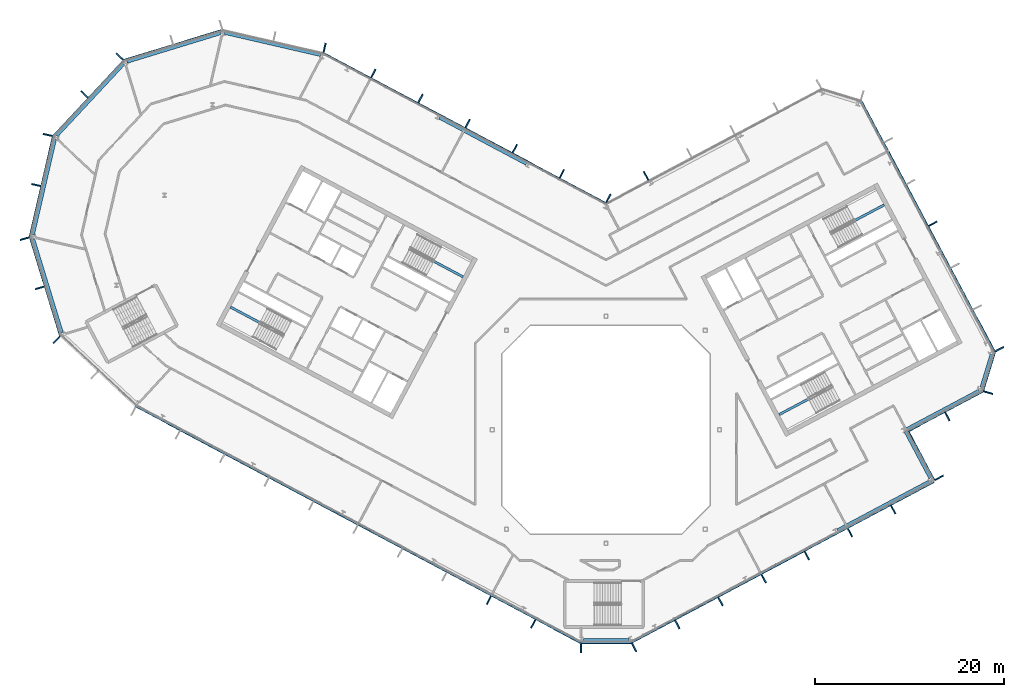
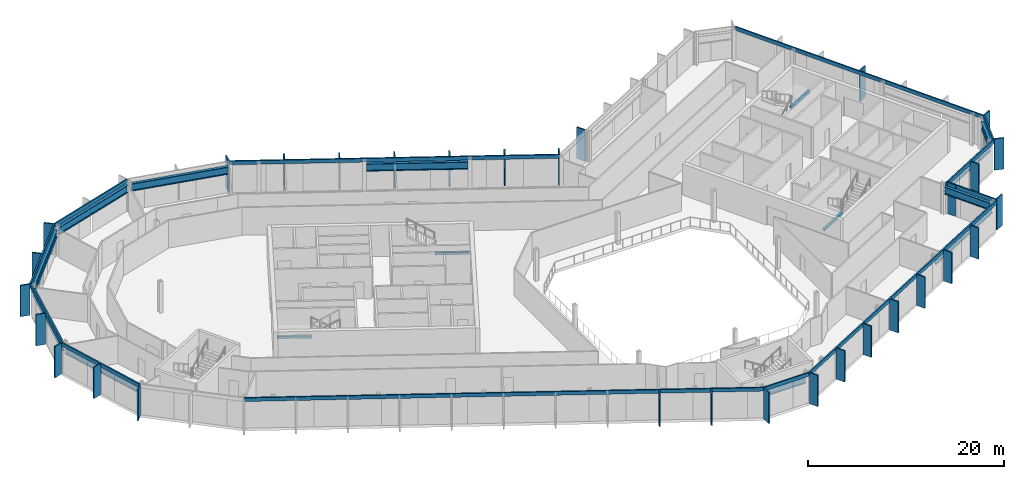
# One storey, part 9 of 26: 43 members, 15 beams, 15 elements without a shape of their own.
"""IFC4 building model written with IfcOpenShell, lengths in metres."""

from ifc_helpers import new_model, si_unit, direction, frame, origin, origin_2d, place, context, subcontext, project, spatial, rectangle, i_section, extrude, material, layer, layer_set, material_profile, profile_set, type_object, element, aggregate, save


model = new_model("IFC4")

# Units and contexts
model_context = context("Model", 3, precision=1e-05, world=origin(), true_north=direction((0.0, 1.0)))
body_context = subcontext(model_context, "Body", "Model", "MODEL_VIEW")
ifc_project = project(units=[si_unit("LENGTHUNIT", "METRE"), si_unit("AREAUNIT", "SQUARE_METRE"), si_unit("VOLUMEUNIT", "CUBIC_METRE"), si_unit("PLANEANGLEUNIT", "RADIAN"), si_unit("MASSUNIT", "GRAM", prefix="KILO")], contexts=[model_context])

# Site, building, storey
site_placement = place(None, origin())
site = spatial("IfcSite", under=ifc_project, at=site_placement, CompositionType="ELEMENT")
building_placement = place(site_placement, origin())
building = spatial("IfcBuilding", under=site, at=building_placement, Name="Cormorant Relay Tower", CompositionType="ELEMENT")
storey_placement = place(building_placement, frame((0.0, 0.0, 316.5)))
storey = spatial("IfcBuildingStorey", under=building, at=storey_placement, Name="L72", CompositionType="ELEMENT", Elevation=316.5)

# Curtain wall, member
ifc_material_1 = material(Name="Aluminium 6063-T6 anodised bronze", Category="aluminium")
ifc_layer = layer(ifc_material_1, 0.199951171875)
ifc_layer_set = layer_set([ifc_layer], Name="CW1 unitised bronze curtain wall with vertical fins")
curtain_wall_type = type_object("IfcCurtainWallType", Name="CW1 unitised bronze curtain wall with vertical fins", PredefinedType="NOTDEFINED", material=ifc_layer_set)
curtain_wall_1_placement = place(storey_placement, origin())
curtain_wall_1 = element("IfcCurtainWall", 1, at=curtain_wall_1_placement, inside=storey, type_object=curtain_wall_type, Name="CW1 curtain wall 1", PredefinedType="NOTDEFINED")
ifc_material_2 = material(Name="Aluminium 6063-T6 anodised bronze", Category="aluminium")
ifc_material_profile_1 = material_profile(ifc_material_2, rectangle(XDim=0.14990234375, YDim=1.0, at=origin_2d()), Name="AL 150x1000")
ifc_profile_set_1 = profile_set([ifc_material_profile_1], Name="Aluminium 6063-T6 anodised bronze")
member_type_1 = type_object("IfcMemberType", Name="CW1 bronze fin mullion 150 x 1000", PredefinedType="MULLION", material=ifc_profile_set_1)
member_1_placement = place(storey_placement, frame((-2.648681640625, -23.07568359375, 0.0), z_axis=(0.0, 0.0, 1.0), x_axis=(1.0, 0.0, 0.0)))
member_1 = element("IfcMember", 2, at=member_1_placement, type_object=member_type_1, Name="CW1 fin 1.1", PredefinedType="MULLION", context=body_context, shape_type="SweptSolid", body=[
    extrude(rectangle(XDim=0.14990234375, YDim=1.0, at=origin_2d()), origin(), (0.0, 0.0, 1.0), 3.89990234375),
])

# Curtain wall, members
curtain_wall_2_placement = place(storey_placement, origin())
curtain_wall_2 = element("IfcCurtainWall", 3, at=curtain_wall_2_placement, inside=storey, type_object=curtain_wall_type, Name="CW1 curtain wall 2", PredefinedType="NOTDEFINED")
member_2_placement = place(storey_placement, frame((2.9775390625, -22.99365234375, 0.0), z_axis=(0.0, 0.0, 1.0), x_axis=(0.882947592859, 0.469471562786, 0.0)))
member_2 = element("IfcMember", 4, at=member_2_placement, type_object=member_type_1, Name="CW1 fin 2.1", PredefinedType="MULLION", context=body_context, shape_type="SweptSolid", body=[
    extrude(rectangle(XDim=0.14990234375, YDim=1.0, at=origin_2d()), origin(), (0.0, 0.0, 1.0), 3.89990234375),
])
member_3_placement = place(storey_placement, frame((7.539306640625, -20.568115234375, 0.0), z_axis=(0.0, 0.0, 1.0), x_axis=(0.882947592859, 0.469471562786, 0.0)))
member_3 = element("IfcMember", 5, at=member_3_placement, type_object=member_type_1, Name="CW1 fin 2.2", PredefinedType="MULLION", context=body_context, shape_type="SweptSolid", body=[
    extrude(rectangle(XDim=0.14990234375, YDim=1.0, at=origin_2d()), origin(), (0.0, 0.0, 1.0), 3.89990234375),
])
member_4_placement = place(storey_placement, frame((12.10107421875, -18.142578125, 0.0), z_axis=(0.0, 0.0, 1.0), x_axis=(0.882947592859, 0.469471562786, 0.0)))
member_4 = element("IfcMember", 6, at=member_4_placement, type_object=member_type_1, Name="CW1 fin 2.3", PredefinedType="MULLION", context=body_context, shape_type="SweptSolid", body=[
    extrude(rectangle(XDim=0.14990234375, YDim=1.0, at=origin_2d()), origin(), (0.0, 0.0, 1.0), 3.89990234375),
])
member_5_placement = place(storey_placement, frame((16.662841796875, -15.717041015625, 0.0), z_axis=(0.0, 0.0, 1.0), x_axis=(0.882947592859, 0.469471562786, 0.0)))
member_5 = element("IfcMember", 7, at=member_5_placement, type_object=member_type_1, Name="CW1 fin 2.4", PredefinedType="MULLION", context=body_context, shape_type="SweptSolid", body=[
    extrude(rectangle(XDim=0.14990234375, YDim=1.0, at=origin_2d()), origin(), (0.0, 0.0, 1.0), 3.89990234375),
])
member_6_placement = place(storey_placement, frame((21.224609375, -13.29150390625, 0.0), z_axis=(0.0, 0.0, 1.0), x_axis=(0.882947592859, 0.469471562786, 0.0)))
member_6 = element("IfcMember", 8, at=member_6_placement, type_object=member_type_1, Name="CW1 fin 2.5", PredefinedType="MULLION", context=body_context, shape_type="SweptSolid", body=[
    extrude(rectangle(XDim=0.14990234375, YDim=1.0, at=origin_2d()), origin(), (0.0, 0.0, 1.0), 3.89990234375),
])
member_7_placement = place(storey_placement, frame((25.78662109375, -10.865966796875, 0.0), z_axis=(0.0, 0.0, 1.0), x_axis=(0.882947592859, 0.469471562786, 0.0)))
member_7 = element("IfcMember", 9, at=member_7_placement, type_object=member_type_1, Name="CW1 fin 2.6", PredefinedType="MULLION", context=body_context, shape_type="SweptSolid", body=[
    extrude(rectangle(XDim=0.14990234375, YDim=1.0, at=origin_2d()), origin(), (0.0, 0.0, 1.0), 3.89990234375),
])
member_8_placement = place(storey_placement, frame((30.348388671875, -8.440185546875, 0.0), z_axis=(0.0, 0.0, 1.0), x_axis=(0.882947592859, 0.469471562786, 0.0)))
member_8 = element("IfcMember", 10, at=member_8_placement, type_object=member_type_1, Name="CW1 fin 2.7", PredefinedType="MULLION", context=body_context, shape_type="SweptSolid", body=[
    extrude(rectangle(XDim=0.14990234375, YDim=1.0, at=origin_2d()), origin(), (0.0, 0.0, 1.0), 3.89990234375),
])

# Curtain wall, member
curtain_wall_3_placement = place(storey_placement, origin())
curtain_wall_3 = element("IfcCurtainWall", 11, at=curtain_wall_3_placement, inside=storey, type_object=curtain_wall_type, Name="CW1 curtain wall 3", PredefinedType="NOTDEFINED")
member_9_placement = place(storey_placement, frame((35.199462890625, -5.068115234375, 0.0), z_axis=(0.0, 0.0, 1.0), x_axis=(-0.469471562786, 0.882947592859, 0.0)))
member_9 = element("IfcMember", 12, at=member_9_placement, type_object=member_type_1, Name="CW1 fin 3.1", PredefinedType="MULLION", context=body_context, shape_type="SweptSolid", body=[
    extrude(rectangle(XDim=0.14990234375, YDim=1.0, at=origin_2d()), origin(), (0.0, 0.0, 1.0), 3.89990234375),
])

# Curtain wall, members
curtain_wall_4_placement = place(storey_placement, origin())
curtain_wall_4 = element("IfcCurtainWall", 13, at=curtain_wall_4_placement, inside=storey, type_object=curtain_wall_type, Name="CW1 curtain wall 4", PredefinedType="NOTDEFINED")
member_10_placement = place(storey_placement, frame((32.159423828125, -0.681884765625, 0.0), z_axis=(0.0, 0.0, 1.0), x_axis=(0.882947592859, 0.469471562786, 0.0)))
member_10 = element("IfcMember", 14, at=member_10_placement, type_object=member_type_1, Name="CW1 fin 4.1", PredefinedType="MULLION", context=body_context, shape_type="SweptSolid", body=[
    extrude(rectangle(XDim=0.14990234375, YDim=1.0, at=origin_2d()), origin(), (0.0, 0.0, 1.0), 3.89990234375),
])
member_11_placement = place(storey_placement, frame((36.06640625, 1.3955078125, 0.0), z_axis=(0.0, 0.0, 1.0), x_axis=(0.882947592859, 0.469471562786, 0.0)))
member_11 = element("IfcMember", 15, at=member_11_placement, type_object=member_type_1, Name="CW1 fin 4.2", PredefinedType="MULLION", context=body_context, shape_type="SweptSolid", body=[
    extrude(rectangle(XDim=0.14990234375, YDim=1.0, at=origin_2d()), origin(), (0.0, 0.0, 1.0), 3.89990234375),
])

# Curtain wall, member
curtain_wall_5_placement = place(storey_placement, origin())
curtain_wall_5 = element("IfcCurtainWall", 16, at=curtain_wall_5_placement, inside=storey, type_object=curtain_wall_type, Name="CW1 curtain wall 5", PredefinedType="NOTDEFINED")
member_12_placement = place(storey_placement, frame((40.380615234375, 3.921630859375, 0.0), z_axis=(0.0, 0.0, 1.0), x_axis=(0.292371704723, 0.956304755963, 0.0)))
member_12 = element("IfcMember", 17, at=member_12_placement, type_object=member_type_1, Name="CW1 fin 5.1", PredefinedType="MULLION", context=body_context, shape_type="SweptSolid", body=[
    extrude(rectangle(XDim=0.14990234375, YDim=1.0, at=origin_2d()), origin(), (0.0, 0.0, 1.0), 3.89990234375),
])

# Curtain wall, members
curtain_wall_6_placement = place(storey_placement, origin())
curtain_wall_6 = element("IfcCurtainWall", 18, at=curtain_wall_6_placement, inside=storey, type_object=curtain_wall_type, Name="CW1 curtain wall 6", PredefinedType="NOTDEFINED")
member_13_placement = place(storey_placement, frame((41.569580078125, 8.51220703125, 0.0), z_axis=(0.0, 0.0, 1.0), x_axis=(-0.469471562786, 0.882947592859, 0.0)))
member_13 = element("IfcMember", 19, at=member_13_placement, type_object=member_type_1, Name="CW1 fin 6.1", PredefinedType="MULLION", context=body_context, shape_type="SweptSolid", body=[
    extrude(rectangle(XDim=0.14990234375, YDim=1.0, at=origin_2d()), origin(), (0.0, 0.0, 1.0), 3.89990234375),
])
member_14_placement = place(storey_placement, frame((34.527587890625, 21.75634765625, 0.0), z_axis=(0.0, 0.0, 1.0), x_axis=(-0.469471562786, 0.882947592859, 0.0)))
member_14 = element("IfcMember", 20, at=member_14_placement, type_object=member_type_1, Name="CW1 fin 6.4", PredefinedType="MULLION", context=body_context, shape_type="SweptSolid", body=[
    extrude(rectangle(XDim=0.14990234375, YDim=1.0, at=origin_2d()), origin(), (0.0, 0.0, 1.0), 3.89990234375),
])

# Curtain wall, member
curtain_wall_7_placement = place(storey_placement, origin())
curtain_wall_7 = element("IfcCurtainWall", 21, at=curtain_wall_7_placement, inside=storey, type_object=curtain_wall_type, Name="CW1 curtain wall 8", PredefinedType="NOTDEFINED")
member_15_placement = place(storey_placement, frame((4.2333984375, 26.82763671875, 0.0), z_axis=(0.0, 0.0, 1.0), x_axis=(-0.882947592859, -0.469471562786, 0.0)))
member_15 = element("IfcMember", 22, at=member_15_placement, type_object=member_type_1, Name="CW1 fin 8.5", PredefinedType="MULLION", context=body_context, shape_type="SweptSolid", body=[
    extrude(rectangle(XDim=0.14990234375, YDim=1.0, at=origin_2d()), origin(), (0.0, 0.0, 1.0), 3.89990234375),
])
aggregate(curtain_wall_7, [member_15])

# Curtain wall, members
curtain_wall_8_placement = place(storey_placement, origin())
curtain_wall_8 = element("IfcCurtainWall", 23, at=curtain_wall_8_placement, inside=storey, type_object=curtain_wall_type, Name="CW1 curtain wall 9", PredefinedType="NOTDEFINED")
member_16_placement = place(storey_placement, frame((0.262451171875, 24.437255859375, 0.0), z_axis=(0.0, 0.0, 1.0), x_axis=(-0.882947592859, 0.469471562786, 0.0)))
member_16 = element("IfcMember", 24, at=member_16_placement, type_object=member_type_1, Name="CW1 fin 9.1", PredefinedType="MULLION", context=body_context, shape_type="SweptSolid", body=[
    extrude(rectangle(XDim=0.14990234375, YDim=1.0, at=origin_2d()), origin(), (0.0, 0.0, 1.0), 3.89990234375),
])
member_17_placement = place(storey_placement, frame((-4.650390625, 27.04931640625, 0.0), z_axis=(0.0, 0.0, 1.0), x_axis=(-0.882947592859, 0.469471562786, 0.0)))
member_17 = element("IfcMember", 25, at=member_17_placement, type_object=member_type_1, Name="CW1 fin 9.2", PredefinedType="MULLION", context=body_context, shape_type="SweptSolid", body=[
    extrude(rectangle(XDim=0.14990234375, YDim=1.0, at=origin_2d()), origin(), (0.0, 0.0, 1.0), 3.89990234375),
])
member_18_placement = place(storey_placement, frame((-9.62939453125, 29.69677734375, 0.0), z_axis=(0.0, 0.0, 1.0), x_axis=(-0.882947592859, 0.469471562786, 0.0)))
member_18 = element("IfcMember", 26, at=member_18_placement, type_object=member_type_1, Name="CW1 fin 9.3", PredefinedType="MULLION", context=body_context, shape_type="SweptSolid", body=[
    extrude(rectangle(XDim=0.14990234375, YDim=1.0, at=origin_2d()), origin(), (0.0, 0.0, 1.0), 3.89990234375),
])
member_19_placement = place(storey_placement, frame((-14.608154296875, 32.343994140625, 0.0), z_axis=(0.0, 0.0, 1.0), x_axis=(-0.882947592859, 0.469471562786, 0.0)))
member_19 = element("IfcMember", 27, at=member_19_placement, type_object=member_type_1, Name="CW1 fin 9.4", PredefinedType="MULLION", context=body_context, shape_type="SweptSolid", body=[
    extrude(rectangle(XDim=0.14990234375, YDim=1.0, at=origin_2d()), origin(), (0.0, 0.0, 1.0), 3.89990234375),
])
member_20_placement = place(storey_placement, frame((-19.587158203125, 34.991455078125, 0.0), z_axis=(0.0, 0.0, 1.0), x_axis=(-0.882947592859, 0.469471562786, 0.0)))
member_20 = element("IfcMember", 28, at=member_20_placement, type_object=member_type_1, Name="CW1 fin 9.5", PredefinedType="MULLION", context=body_context, shape_type="SweptSolid", body=[
    extrude(rectangle(XDim=0.14990234375, YDim=1.0, at=origin_2d()), origin(), (0.0, 0.0, 1.0), 3.89990234375),
])
member_21_placement = place(storey_placement, frame((-24.566162109375, 37.638916015625, 0.0), z_axis=(0.0, 0.0, 1.0), x_axis=(-0.882947592859, 0.469471562786, 0.0)))
member_21 = element("IfcMember", 29, at=member_21_placement, type_object=member_type_1, Name="CW1 fin 9.6", PredefinedType="MULLION", context=body_context, shape_type="SweptSolid", body=[
    extrude(rectangle(XDim=0.14990234375, YDim=1.0, at=origin_2d()), origin(), (0.0, 0.0, 1.0), 3.89990234375),
])

# Curtain wall, member
curtain_wall_9_placement = place(storey_placement, origin())
curtain_wall_9 = element("IfcCurtainWall", 30, at=curtain_wall_9_placement, inside=storey, type_object=curtain_wall_type, Name="CW1 curtain wall 10", PredefinedType="NOTDEFINED")
member_22_placement = place(storey_placement, frame((-29.71630859375, 40.35009765625, 0.0), z_axis=(0.0, 0.0, 1.0), x_axis=(-0.974370064785, 0.224951054344, 0.0)))
member_22 = element("IfcMember", 31, at=member_22_placement, type_object=member_type_1, Name="CW1 fin 10.1", PredefinedType="MULLION", context=body_context, shape_type="SweptSolid", body=[
    extrude(rectangle(XDim=0.14990234375, YDim=1.0, at=origin_2d()), origin(), (0.0, 0.0, 1.0), 3.89990234375),
])
aggregate(curtain_wall_9, [member_22])

# Curtain wall, members
curtain_wall_10_placement = place(storey_placement, origin())
curtain_wall_10 = element("IfcCurtainWall", 32, at=curtain_wall_10_placement, inside=storey, type_object=curtain_wall_type, Name="CW1 curtain wall 12", PredefinedType="NOTDEFINED")
member_23_placement = place(storey_placement, frame((-51.372802734375, 39.41259765625, 0.0), z_axis=(0.0, 0.0, 1.0), x_axis=(-0.681998360062, -0.731353701619, 0.0)))
member_23 = element("IfcMember", 33, at=member_23_placement, type_object=member_type_1, Name="CW1 fin 12.1", PredefinedType="MULLION", context=body_context, shape_type="SweptSolid", body=[
    extrude(rectangle(XDim=0.14990234375, YDim=1.0, at=origin_2d()), origin(), (0.0, 0.0, 1.0), 3.89990234375),
])
member_24_placement = place(storey_placement, frame((-55.07958984375, 35.4375, 0.0), z_axis=(0.0, 0.0, 1.0), x_axis=(-0.681998360062, -0.731353701619, 0.0)))
member_24 = element("IfcMember", 34, at=member_24_placement, type_object=member_type_1, Name="CW1 fin 12.2", PredefinedType="MULLION", context=body_context, shape_type="SweptSolid", body=[
    extrude(rectangle(XDim=0.14990234375, YDim=1.0, at=origin_2d()), origin(), (0.0, 0.0, 1.0), 3.89990234375),
])

curtain_wall_11_placement = place(storey_placement, origin())
curtain_wall_11 = element("IfcCurtainWall", 35, at=curtain_wall_11_placement, inside=storey, type_object=curtain_wall_type, Name="CW1 curtain wall 13", PredefinedType="NOTDEFINED")
member_25_placement = place(storey_placement, frame((-58.95654296875, 31.142578125, 0.0), z_axis=(0.0, 0.0, 1.0), x_axis=(-0.224951054344, -0.974370064785, 0.0)))
member_25 = element("IfcMember", 36, at=member_25_placement, type_object=member_type_1, Name="CW1 fin 13.1", PredefinedType="MULLION", context=body_context, shape_type="SweptSolid", body=[
    extrude(rectangle(XDim=0.14990234375, YDim=1.0, at=origin_2d()), origin(), (0.0, 0.0, 1.0), 3.89990234375),
])
member_26_placement = place(storey_placement, frame((-60.17919921875, 25.8466796875, 0.0), z_axis=(0.0, 0.0, 1.0), x_axis=(-0.224951054344, -0.974370064785, 0.0)))
member_26 = element("IfcMember", 37, at=member_26_placement, type_object=member_type_1, Name="CW1 fin 13.2", PredefinedType="MULLION", context=body_context, shape_type="SweptSolid", body=[
    extrude(rectangle(XDim=0.14990234375, YDim=1.0, at=origin_2d()), origin(), (0.0, 0.0, 1.0), 3.89990234375),
])

curtain_wall_12_placement = place(storey_placement, origin())
curtain_wall_12 = element("IfcCurtainWall", 38, at=curtain_wall_12_placement, inside=storey, type_object=curtain_wall_type, Name="CW1 curtain wall 14", PredefinedType="NOTDEFINED")
member_27_placement = place(storey_placement, frame((-61.389404296875, 20.188720703125, 0.0), z_axis=(0.0, 0.0, 1.0), x_axis=(0.292371704723, -0.956304755963, 0.0)))
member_27 = element("IfcMember", 39, at=member_27_placement, type_object=member_type_1, Name="CW1 fin 14.1", PredefinedType="MULLION", context=body_context, shape_type="SweptSolid", body=[
    extrude(rectangle(XDim=0.14990234375, YDim=1.0, at=origin_2d()), origin(), (0.0, 0.0, 1.0), 3.89990234375),
])
member_28_placement = place(storey_placement, frame((-59.80029296875, 14.990966796875, 0.0), z_axis=(0.0, 0.0, 1.0), x_axis=(0.292371704723, -0.956304755963, 0.0)))
member_28 = element("IfcMember", 40, at=member_28_placement, type_object=member_type_1, Name="CW1 fin 14.2", PredefinedType="MULLION", context=body_context, shape_type="SweptSolid", body=[
    extrude(rectangle(XDim=0.14990234375, YDim=1.0, at=origin_2d()), origin(), (0.0, 0.0, 1.0), 3.89990234375),
])

# Curtain wall, member
curtain_wall_13_placement = place(storey_placement, origin())
curtain_wall_13 = element("IfcCurtainWall", 41, at=curtain_wall_13_placement, inside=storey, type_object=curtain_wall_type, Name="CW1 curtain wall 15", PredefinedType="NOTDEFINED")
member_29_placement = place(storey_placement, frame((-58.01904296875, 9.486083984375, 0.0), z_axis=(0.0, 0.0, 1.0), x_axis=(0.731353701619, -0.681998360062, 0.0)))
member_29 = element("IfcMember", 42, at=member_29_placement, type_object=member_type_1, Name="CW1 fin 15.1", PredefinedType="MULLION", context=body_context, shape_type="SweptSolid", body=[
    extrude(rectangle(XDim=0.14990234375, YDim=1.0, at=origin_2d()), origin(), (0.0, 0.0, 1.0), 3.89990234375),
])
aggregate(curtain_wall_13, [member_29])

# Curtain wall, members
curtain_wall_14_placement = place(storey_placement, origin())
curtain_wall_14 = element("IfcCurtainWall", 43, at=curtain_wall_14_placement, inside=storey, type_object=curtain_wall_type, Name="CW1 curtain wall 16", PredefinedType="NOTDEFINED")
member_30_placement = place(storey_placement, frame((-12.365966796875, -18.001708984375, 0.0), z_axis=(0.0, 0.0, 1.0), x_axis=(0.882947592859, -0.469471562786, 0.0)))
member_30 = element("IfcMember", 44, at=member_30_placement, type_object=member_type_1, Name="CW1 fin 16.9", PredefinedType="MULLION", context=body_context, shape_type="SweptSolid", body=[
    extrude(rectangle(XDim=0.14990234375, YDim=1.0, at=origin_2d()), origin(), (0.0, 0.0, 1.0), 3.89990234375),
])
member_31_placement = place(storey_placement, frame((-7.671630859375, -20.49755859375, 0.0), z_axis=(0.0, 0.0, 1.0), x_axis=(0.882947592859, -0.469471562786, 0.0)))
member_31 = element("IfcMember", 45, at=member_31_placement, type_object=member_type_1, Name="CW1 fin 16.10", PredefinedType="MULLION", context=body_context, shape_type="SweptSolid", body=[
    extrude(rectangle(XDim=0.14990234375, YDim=1.0, at=origin_2d()), origin(), (0.0, 0.0, 1.0), 3.89990234375),
])

# Member
ifc_material_3 = material(Name="Aluminium 6063-T6 anodised bronze", Category="aluminium")
ifc_material_profile_2 = material_profile(ifc_material_3, rectangle(XDim=0.159912109375, YDim=0.449951171875, at=origin_2d()), Name="AL 160x450")
ifc_profile_set_2 = profile_set([ifc_material_profile_2], Name="Aluminium 6063-T6 anodised bronze")
member_type_2 = type_object("IfcMemberType", Name="CW1 bronze transom 160 x 450", PredefinedType="USERDEFINED", material=ifc_profile_set_2)
member_32_placement = place(storey_placement, frame((-2.648681640625, -22.49560546875, 3.675048828125), z_axis=(1.0, 0.0, 0.0), x_axis=(0.0, 1.0, 0.0)))
member_32 = element("IfcMember", 46, at=member_32_placement, type_object=member_type_2, Name="CW1 transom 1", ObjectType="TRANSOM", PredefinedType="USERDEFINED", context=body_context, shape_type="SweptSolid", body=[
    extrude(rectangle(XDim=0.159912109375, YDim=0.449951171875, at=origin_2d()), origin(), (0.0, 0.0, 1.0), 5.29736328125),
])

aggregate(curtain_wall_1, [member_1, member_32])

member_33_placement = place(storey_placement, frame((2.705078125, -22.4814453125, 3.675048828125), z_axis=(0.882948899141, 0.469469106018, 0.0), x_axis=(-0.469469106018, 0.882948899141, 0.0)))
member_33 = element("IfcMember", 47, at=member_33_placement, type_object=member_type_2, Name="CW1 transom 2", ObjectType="TRANSOM", PredefinedType="USERDEFINED", context=body_context, shape_type="SweptSolid", body=[
    extrude(rectangle(XDim=0.159912109375, YDim=0.449951171875, at=origin_2d()), origin(), (0.0, 0.0, 1.0), 36.165771484375),
])

aggregate(curtain_wall_2, [member_2, member_3, member_4, member_5, member_6, member_7, member_8, member_33])

member_34_placement = place(storey_placement, frame((34.6875, -5.34033203125, 3.675048828125), z_axis=(-0.469485426614, 0.882940221191, 0.0), x_axis=(-0.882940221191, -0.469485426614, 0.0)))
member_34 = element("IfcMember", 48, at=member_34_placement, type_object=member_type_2, Name="CW1 transom 3", ObjectType="TRANSOM", PredefinedType="USERDEFINED", context=body_context, shape_type="SweptSolid", body=[
    extrude(rectangle(XDim=0.159912109375, YDim=0.449951171875, at=origin_2d()), origin(), (0.0, 0.0, 1.0), 6.0),
])

aggregate(curtain_wall_3, [member_9, member_34])

member_35_placement = place(storey_placement, frame((31.82080078125, -0.205078125, 3.675048828125), z_axis=(0.882949189538, 0.469468559857, 0.0), x_axis=(-0.469468559857, 0.882949189538, 0.0)))
member_35 = element("IfcMember", 49, at=member_35_placement, type_object=member_type_2, Name="CW1 transom 4", ObjectType="TRANSOM", PredefinedType="USERDEFINED", context=body_context, shape_type="SweptSolid", body=[
    extrude(rectangle(XDim=0.159912109375, YDim=0.449951171875, at=origin_2d()), origin(), (0.0, 0.0, 1.0), 9.000244140625),
])

aggregate(curtain_wall_4, [member_10, member_11, member_35])

member_36_placement = place(storey_placement, frame((39.825927734375, 4.091064453125, 3.675048828125), z_axis=(0.292374957137, 0.956303761594, 0.0), x_axis=(-0.956303761594, 0.292374957137, 0.0)))
member_36 = element("IfcMember", 50, at=member_36_placement, type_object=member_type_2, Name="CW1 transom 5", ObjectType="TRANSOM", PredefinedType="USERDEFINED", context=body_context, shape_type="SweptSolid", body=[
    extrude(rectangle(XDim=0.159912109375, YDim=0.449951171875, at=origin_2d()), origin(), (0.0, 0.0, 1.0), 4.24267578125),
])

aggregate(curtain_wall_5, [member_12, member_36])

member_37_placement = place(storey_placement, frame((41.0576171875, 8.23974609375, 3.675048828125), z_axis=(-0.469472335483, 0.882947182008, 0.0), x_axis=(-0.882947182008, -0.469472335483, 0.0)))
member_37 = element("IfcMember", 51, at=member_37_placement, type_object=member_type_2, Name="CW1 transom 6", ObjectType="TRANSOM", PredefinedType="USERDEFINED", context=body_context, shape_type="SweptSolid", body=[
    extrude(rectangle(XDim=0.159912109375, YDim=0.449951171875, at=origin_2d()), origin(), (0.0, 0.0, 1.0), 30.000244140625),
])

aggregate(curtain_wall_6, [member_13, member_14, member_37])

member_38_placement = place(storey_placement, frame((0.056396484375, 23.889892578125, 3.675048828125), z_axis=(-0.882946280328, 0.46947403129, 0.0), x_axis=(-0.46947403129, -0.882946280328, 0.0)))
member_38 = element("IfcMember", 52, at=member_38_placement, type_object=member_type_2, Name="CW1 transom 9", ObjectType="TRANSOM", PredefinedType="USERDEFINED", context=body_context, shape_type="SweptSolid", body=[
    extrude(rectangle(XDim=0.159912109375, YDim=0.449951171875, at=origin_2d()), origin(), (0.0, 0.0, 1.0), 33.834228515625),
])

aggregate(curtain_wall_8, [member_16, member_17, member_18, member_19, member_20, member_21, member_38])

# Curtain wall, member
curtain_wall_15_placement = place(storey_placement, origin())
curtain_wall_15 = element("IfcCurtainWall", 53, at=curtain_wall_15_placement, inside=storey, type_object=curtain_wall_type, Name="CW1 curtain wall 11", PredefinedType="NOTDEFINED")
member_39_placement = place(storey_placement, frame((-40.50048828125, 42.228271484375, 3.675048828125), z_axis=(-0.956304833932, -0.292371449698, 0.0), x_axis=(0.292371449698, -0.956304833932, 0.0)))
member_39 = element("IfcMember", 54, at=member_39_placement, type_object=member_type_2, Name="CW1 transom 11", ObjectType="TRANSOM", PredefinedType="USERDEFINED", context=body_context, shape_type="SweptSolid", body=[
    extrude(rectangle(XDim=0.159912109375, YDim=0.449951171875, at=origin_2d()), origin(), (0.0, 0.0, 1.0), 10.87060546875),
])
aggregate(curtain_wall_15, [member_39])

# Member
member_40_placement = place(storey_placement, frame((-50.94873046875, 39.01708984375, 3.675048828125), z_axis=(-0.681993299437, -0.731358420696, 0.0), x_axis=(0.731358420696, -0.681993299437, 0.0)))
member_40 = element("IfcMember", 55, at=member_40_placement, type_object=member_type_2, Name="CW1 transom 12", ObjectType="TRANSOM", PredefinedType="USERDEFINED", context=body_context, shape_type="SweptSolid", body=[
    extrude(rectangle(XDim=0.159912109375, YDim=0.449951171875, at=origin_2d()), origin(), (0.0, 0.0, 1.0), 10.870361328125),
])

aggregate(curtain_wall_10, [member_23, member_24, member_40])

member_41_placement = place(storey_placement, frame((-58.3916015625, 31.01220703125, 3.675048828125), z_axis=(-0.22495136131, -0.974369993916, 0.0), x_axis=(0.974369993916, -0.22495136131, 0.0)))
member_41 = element("IfcMember", 56, at=member_41_placement, type_object=member_type_2, Name="CW1 transom 13", ObjectType="TRANSOM", PredefinedType="USERDEFINED", context=body_context, shape_type="SweptSolid", body=[
    extrude(rectangle(XDim=0.159912109375, YDim=0.449951171875, at=origin_2d()), origin(), (0.0, 0.0, 1.0), 10.870361328125),
])

aggregate(curtain_wall_11, [member_25, member_26, member_41])

member_42_placement = place(storey_placement, frame((-60.834716796875, 20.358154296875, 3.675048828125), z_axis=(0.292377729282, -0.95630291405, 0.0), x_axis=(0.95630291405, 0.292377729282, 0.0)))
member_42 = element("IfcMember", 57, at=member_42_placement, type_object=member_type_2, Name="CW1 transom 14", ObjectType="TRANSOM", PredefinedType="USERDEFINED", context=body_context, shape_type="SweptSolid", body=[
    extrude(rectangle(XDim=0.159912109375, YDim=0.449951171875, at=origin_2d()), origin(), (0.0, 0.0, 1.0), 10.870361328125),
])

aggregate(curtain_wall_12, [member_27, member_28, member_42])

member_43_placement = place(storey_placement, frame((-49.64794921875, 2.478515625, 3.675048828125), z_axis=(0.882947642542, -0.469471469346, 0.0), x_axis=(0.469471469346, 0.882947642542, 0.0)))
member_43 = element("IfcMember", 58, at=member_43_placement, type_object=member_type_2, Name="CW1 transom 16", ObjectType="TRANSOM", PredefinedType="USERDEFINED", context=body_context, shape_type="SweptSolid", body=[
    extrude(rectangle(XDim=0.159912109375, YDim=0.449951171875, at=origin_2d()), origin(), (0.0, 0.0, 1.0), 53.166015625),
])

aggregate(curtain_wall_14, [member_30, member_31, member_43])

# Beams
ifc_material_4 = material(Name="Steel ASTM A992 (Fy 345 MPa)", Category="steel")
ifc_material_profile_3 = material_profile(ifc_material_4, i_section(OverallWidth=0.307373046875, OverallDepth=0.927001953125, WebThickness=0.019287109375, FlangeThickness=0.031982421875, FilletRadius=0.01904296875, at=origin_2d()), Name="W920x289")
ifc_profile_set_3 = profile_set([ifc_material_profile_3], Name="Steel ASTM A992 (Fy 345 MPa)")
beam_type_1 = type_object("IfcBeamType", Name="Spandrel W920x289", PredefinedType="SPANDREL", material=ifc_profile_set_3)
beam_1_placement = place(storey_placement, frame((-2.377197265625, -22.221923828125, 2.986328125), z_axis=(1.0, 0.0, 0.0), x_axis=(0.0, 1.0, 0.0)))
element("IfcBeam", 59, at=beam_1_placement, inside=storey, type_object=beam_type_1, Name="Spandrel beam L72-001", PredefinedType="SPANDREL", context=body_context, shape_type="SweptSolid", body=[
    extrude(i_section(OverallWidth=0.307373046875, OverallDepth=0.927001953125, WebThickness=0.019287109375, FlangeThickness=0.031982421875, FilletRadius=0.01904296875, at=origin_2d()), origin(), (0.0, 0.0, 1.0), 4.79541015625),
])
beam_2_placement = place(storey_placement, frame((24.44287109375, -10.61328125, 2.986328125), z_axis=(0.882957797597, 0.469452369961, 0.0), x_axis=(-0.469452369961, 0.882957797597, 0.0)))
element("IfcBeam", 60, at=beam_2_placement, inside=storey, type_object=beam_type_1, Name="Spandrel beam L72-002", PredefinedType="SPANDREL", context=body_context, shape_type="SweptSolid", body=[
    extrude(i_section(OverallWidth=0.307373046875, OverallDepth=0.927001953125, WebThickness=0.019287109375, FlangeThickness=0.031982421875, FilletRadius=0.01904296875, at=origin_2d()), origin(), (0.0, 0.0, 1.0), 10.992431640625),
])
beam_3_placement = place(storey_placement, frame((34.254638671875, -5.109619140625, 2.986328125), z_axis=(-0.469457325339, 0.882955162897, 0.0), x_axis=(-0.882955162897, -0.469457325339, 0.0)))
element("IfcBeam", 61, at=beam_3_placement, inside=storey, type_object=beam_type_1, Name="Spandrel beam L72-003", PredefinedType="SPANDREL", context=body_context, shape_type="SweptSolid", body=[
    extrude(i_section(OverallWidth=0.307373046875, OverallDepth=0.927001953125, WebThickness=0.019287109375, FlangeThickness=0.031982421875, FilletRadius=0.01904296875, at=origin_2d()), origin(), (0.0, 0.0, 1.0), 5.593017578125),
])
beam_4_placement = place(storey_placement, frame((31.6923828125, 0.03662109375, 2.986328125), z_axis=(0.882943393008, 0.469479461472, 0.0), x_axis=(-0.469479461472, 0.882943393008, 0.0)))
element("IfcBeam", 62, at=beam_4_placement, inside=storey, type_object=beam_type_1, Name="Spandrel beam L72-004", PredefinedType="SPANDREL", context=body_context, shape_type="SweptSolid", body=[
    extrude(i_section(OverallWidth=0.307373046875, OverallDepth=0.927001953125, WebThickness=0.019287109375, FlangeThickness=0.031982421875, FilletRadius=0.01904296875, at=origin_2d()), origin(), (0.0, 0.0, 1.0), 8.734375),
])
beam_5_placement = place(storey_placement, frame((39.6591796875, 4.4814453125, 2.986328125), z_axis=(0.292323829151, 0.956319391684, 0.0), x_axis=(-0.956319391684, 0.292323829151, 0.0)))
element("IfcBeam", 63, at=beam_5_placement, inside=storey, type_object=beam_type_1, Name="Spandrel beam L72-005", PredefinedType="SPANDREL", context=body_context, shape_type="SweptSolid", body=[
    extrude(i_section(OverallWidth=0.307373046875, OverallDepth=0.927001953125, WebThickness=0.019287109375, FlangeThickness=0.031982421875, FilletRadius=0.01904296875, at=origin_2d()), origin(), (0.0, 0.0, 1.0), 3.652099609375),
])
beam_6_placement = place(storey_placement, frame((-8.401611328125, 28.0771484375, 2.986328125), z_axis=(-0.882945471565, 0.469475552338, 0.0), x_axis=(-0.469475552338, -0.882945471565, 0.0)))
element("IfcBeam", 64, at=beam_6_placement, inside=storey, type_object=beam_type_1, Name="Spandrel beam L72-009", PredefinedType="SPANDREL", context=body_context, shape_type="SweptSolid", body=[
    extrude(i_section(OverallWidth=0.307373046875, OverallDepth=0.927001953125, WebThickness=0.019287109375, FlangeThickness=0.031982421875, FilletRadius=0.01904296875, at=origin_2d()), origin(), (0.0, 0.0, 1.0), 10.401123046875),
])
beam_7_placement = place(storey_placement, frame((-30.138427734375, 39.571533203125, 2.986328125), z_axis=(-0.97437021882, 0.224950387145, 0.0), x_axis=(-0.224950387145, -0.97437021882, 0.0)))
element("IfcBeam", 65, at=beam_7_placement, inside=storey, type_object=beam_type_1, Name="Spandrel beam L72-010", PredefinedType="SPANDREL", context=body_context, shape_type="SweptSolid", body=[
    extrude(i_section(OverallWidth=0.307373046875, OverallDepth=0.927001953125, WebThickness=0.019287109375, FlangeThickness=0.031982421875, FilletRadius=0.01904296875, at=origin_2d()), origin(), (0.0, 0.0, 1.0), 10.3984375),
])
beam_8_placement = place(storey_placement, frame((-40.68505859375, 41.8857421875, 2.986328125), z_axis=(-0.956304903575, -0.292371221906, 0.0), x_axis=(0.292371221906, -0.956304903575, 0.0)))
element("IfcBeam", 66, at=beam_8_placement, inside=storey, type_object=beam_type_1, Name="Spandrel beam L72-011", PredefinedType="SPANDREL", context=body_context, shape_type="SweptSolid", body=[
    extrude(i_section(OverallWidth=0.307373046875, OverallDepth=0.927001953125, WebThickness=0.019287109375, FlangeThickness=0.031982421875, FilletRadius=0.01904296875, at=origin_2d()), origin(), (0.0, 0.0, 1.0), 10.358642578125),
])
beam_9_placement = place(storey_placement, frame((-50.9375, 38.627685546875, 2.986328125), z_axis=(-0.682009982741, -0.731342863124, 0.0), x_axis=(0.731342863124, -0.682009982741, 0.0)))
element("IfcBeam", 67, at=beam_9_placement, inside=storey, type_object=beam_type_1, Name="Spandrel beam L72-012", PredefinedType="SPANDREL", context=body_context, shape_type="SweptSolid", body=[
    extrude(i_section(OverallWidth=0.307373046875, OverallDepth=0.927001953125, WebThickness=0.019287109375, FlangeThickness=0.031982421875, FilletRadius=0.01904296875, at=origin_2d()), origin(), (0.0, 0.0, 1.0), 10.35791015625),
])
beam_10_placement = place(storey_placement, frame((-58.18701171875, 30.680908203125, 2.986328125), z_axis=(-0.224955895786, -0.974368947038, 0.0), x_axis=(0.974368947038, -0.224955895786, 0.0)))
element("IfcBeam", 68, at=beam_10_placement, inside=storey, type_object=beam_type_1, Name="Spandrel beam L72-013", PredefinedType="SPANDREL", context=body_context, shape_type="SweptSolid", body=[
    extrude(i_section(OverallWidth=0.307373046875, OverallDepth=0.927001953125, WebThickness=0.019287109375, FlangeThickness=0.031982421875, FilletRadius=0.01904296875, at=origin_2d()), origin(), (0.0, 0.0, 1.0), 10.359130859375),
])
beam_11_placement = place(storey_placement, frame((-60.49169921875, 20.1728515625, 2.986328125), z_axis=(0.292367651593, -0.95630599512, 0.0), x_axis=(0.95630599512, 0.292367651593, 0.0)))
element("IfcBeam", 69, at=beam_11_placement, inside=storey, type_object=beam_type_1, Name="Spandrel beam L72-014", PredefinedType="SPANDREL", context=body_context, shape_type="SweptSolid", body=[
    extrude(i_section(OverallWidth=0.307373046875, OverallDepth=0.927001953125, WebThickness=0.019287109375, FlangeThickness=0.031982421875, FilletRadius=0.01904296875, at=origin_2d()), origin(), (0.0, 0.0, 1.0), 10.357177734375),
])
ifc_material_5 = material(Name="Concrete 50 MPa", Category="concrete")
ifc_material_profile_4 = material_profile(ifc_material_5, rectangle(XDim=0.25, YDim=0.300048828125, at=origin_2d()), Name="RC 250x300")
ifc_profile_set_4 = profile_set([ifc_material_profile_4], Name="Concrete 50 MPa")
beam_type_2 = type_object("IfcBeamType", Name="Stair landing ledge beam 250x300", PredefinedType="BEAM", material=ifc_profile_set_4)
beam_12_placement = place(storey_placement, frame((-18.219482421875, 17.813720703125, 1.60009765625), z_axis=(0.882950035608, -0.469466968614, 0.0), x_axis=(0.469466968614, 0.882950035608, 0.0)))
element("IfcBeam", 70, at=beam_12_placement, inside=storey, type_object=beam_type_2, Name="A1 landing ledge beam", PredefinedType="BEAM", context=body_context, shape_type="SweptSolid", body=[
    extrude(rectangle(XDim=0.25, YDim=0.300048828125, at=origin_2d()), origin(), (0.0, 0.0, 1.0), 3.5498046875),
])
for number, where, z_axis, x_axis, name in (
    (71, (-36.523193359375, 11.29345703125, 1.60009765625), (-0.88293668587, 0.469492075273, 0.0), (-0.469492075273, -0.88293668587, 0.0), "A2 landing ledge beam"),
    (72, (21.4248046875, 3.265380859375, 1.60009765625), (-0.88296519247, -0.469438461235, 0.0), (0.469438461235, -0.88296519247, 0.0), "B1 landing ledge beam"),
    (73, (26.25439453125, 22.0859375, 1.60009765625), (0.88296519247, 0.469438461235, 0.0), (-0.469438461235, 0.88296519247, 0.0), "B2 landing ledge beam"),
):
    element("IfcBeam", number, at=place(storey_placement, frame(where, z_axis=z_axis, x_axis=x_axis)), inside=storey, type_object=beam_type_2, Name=name, PredefinedType="BEAM", context=body_context, shape_type="SweptSolid", body=[
        extrude(rectangle(XDim=0.25, YDim=0.300048828125, at=origin_2d()), origin(), (0.0, 0.0, 1.0), 3.550048828125),
    ])

save(model, "model.ifc")
